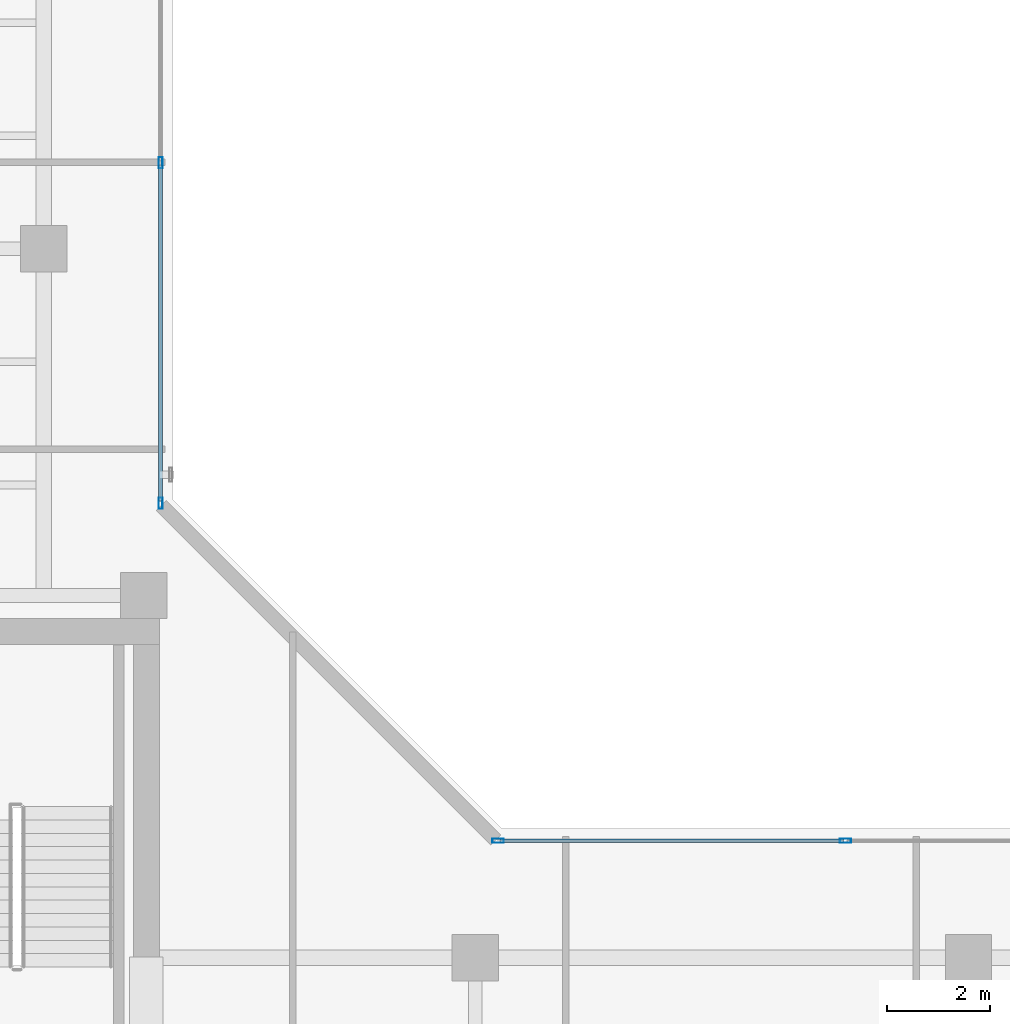
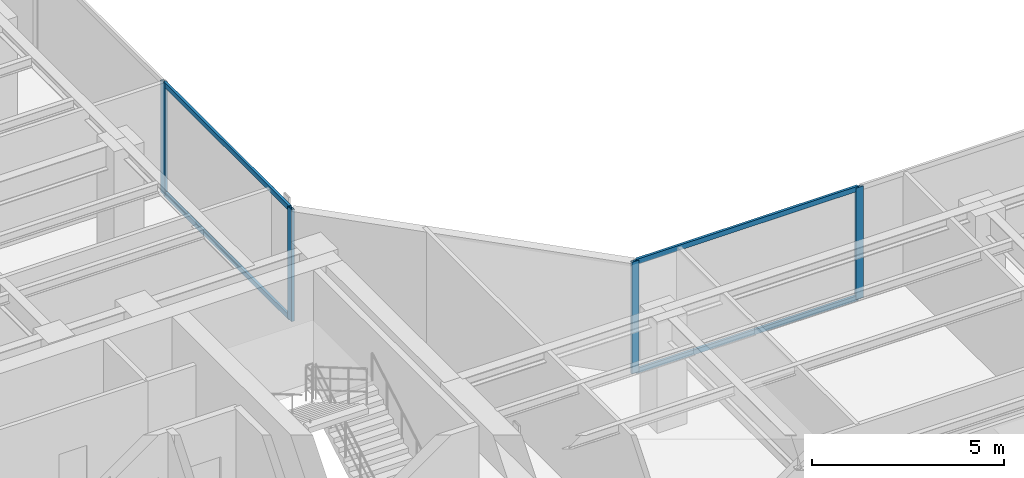
# One storey, part 10 of 24: 8 members, 2 elements without a shape of their own.
"""IFC4 building model written with IfcOpenShell, lengths in metres."""

from ifc_helpers import new_model, si_unit, direction, frame, origin, origin_with_axes, origin_2d, place, context, subcontext, project, spatial, hollow_rectangle, extrude, source, transform, mapped, material, layer, layer_set, material_profile, profile_set, type_object, element, aggregate, save


model = new_model("IFC4")

# Units and contexts
model_context = context("Model", 3, precision=1e-05, world=origin(), true_north=direction((0.0, 1.0)))
body_context = subcontext(model_context, "Body", "Model", "MODEL_VIEW")
ifc_project = project(units=[si_unit("LENGTHUNIT", "METRE"), si_unit("AREAUNIT", "SQUARE_METRE"), si_unit("VOLUMEUNIT", "CUBIC_METRE"), si_unit("PLANEANGLEUNIT", "RADIAN"), si_unit("MASSUNIT", "GRAM", prefix="KILO")], contexts=[model_context])

# Site, building, storey
site_placement = place(None, origin())
site = spatial("IfcSite", under=ifc_project, at=site_placement, CompositionType="ELEMENT")
building_placement = place(site_placement, origin())
building = spatial("IfcBuilding", under=site, at=building_placement, Name="Kolvaren Waterfront Exchange", CompositionType="ELEMENT")
storey_placement = place(building_placement, frame((0.0, 0.0, 293.199951171875)))
storey = spatial("IfcBuildingStorey", under=building, at=storey_placement, Name="L75", CompositionType="ELEMENT", Elevation=293.199951171875)

# Curtain wall, members
ifc_material_1 = material(Name="Anodised bronze aluminium 6063-T6", Category="aluminium")
ifc_layer = layer(ifc_material_1, 0.219970703125, Name="Anodised bronze aluminium 6063-T6")
ifc_layer_set = layer_set([ifc_layer], Name="Anodised bronze aluminium 6063-T6")
curtain_wall_type = type_object("IfcCurtainWallType", Name="ARC-CW-SYS1", PredefinedType="USERDEFINED", material=ifc_layer_set)
curtain_wall_1_placement = place(storey_placement, origin())
curtain_wall_1 = element("IfcCurtainWall", 1, at=curtain_wall_1_placement, inside=storey, type_object=curtain_wall_type, Name="L75 stick curtain wall CW1 (CW-L75-NE)", ObjectType="STICK CURTAIN WALL", PredefinedType="USERDEFINED")
ifc_material_2 = material(Name="Anodised aluminium 6063-T6", Category="aluminium")
ifc_material_profile_1 = material_profile(ifc_material_2, hollow_rectangle(XDim=0.080078125, YDim=0.219970703125, WallThickness=0.0048828125, at=origin_2d()), Name="ALU-MUL-220x80x5")
ifc_profile_set_1 = profile_set([ifc_material_profile_1], Name="Anodised aluminium 6063-T6")
member_type_1 = type_object("IfcMemberType", Name="ARC-CWM-220", PredefinedType="MULLION", material=ifc_profile_set_1)
shared_shape_1 = source(origin_with_axes(), body_context, "Body", "SweptSolid", [
    extrude(hollow_rectangle(XDim=0.080078125, YDim=0.219970703125, WallThickness=0.0048828125, at=origin_2d()), origin(), (0.0, 0.0, 1.0), 3.56005859375),
])
member_1_placement = place(storey_placement, frame((21.07568359375, 26.245849609375, 0.0), z_axis=(0.0, 0.0, 1.0), x_axis=(-1.0, 0.0, 0.0)))
member_1 = element("IfcMember", 2, at=member_1_placement, type_object=member_type_1, Name="CW1 mullion 1", PredefinedType="MULLION", context=body_context, shape_type="MappedRepresentation", body=[
    mapped(shared_shape_1, transform((0.0, 0.0, 0.0), x_axis=(1.0, 0.0, 0.0), y_axis=(0.0, 1.0, 0.0), z_axis=(0.0, 0.0, 1.0), scale=1.0)),
])
member_2_placement = place(storey_placement, frame((21.07568359375, 32.872314453125, 0.0), z_axis=(0.0, 0.0, 1.0), x_axis=(-1.0, 0.0, 0.0)))
member_2 = element("IfcMember", 3, at=member_2_placement, type_object=member_type_1, Name="CW1 mullion 2", PredefinedType="MULLION", context=body_context, shape_type="MappedRepresentation", body=[
    mapped(shared_shape_1, transform((0.0, 0.0, 0.0), x_axis=(1.0, 0.0, 0.0), y_axis=(0.0, 1.0, 0.0), z_axis=(0.0, 0.0, 1.0), scale=1.0)),
])

curtain_wall_2_placement = place(storey_placement, origin())
curtain_wall_2 = element("IfcCurtainWall", 4, at=curtain_wall_2_placement, inside=storey, type_object=curtain_wall_type, Name="L75 stick curtain wall CW1 (CW-L75-EN)", ObjectType="STICK CURTAIN WALL", PredefinedType="USERDEFINED")
member_3_placement = place(storey_placement, frame((27.645751953125, 19.67578125, 0.0), z_axis=(0.0, 0.0, 1.0), x_axis=(0.0, 1.0, 0.0)))
member_3 = element("IfcMember", 5, at=member_3_placement, type_object=member_type_1, Name="CW1 mullion 1", PredefinedType="MULLION", context=body_context, shape_type="MappedRepresentation", body=[
    mapped(shared_shape_1, transform((0.0, 0.0, 0.0), x_axis=(1.0, 0.0, 0.0), y_axis=(0.0, 1.0, 0.0), z_axis=(0.0, 0.0, 1.0), scale=1.0)),
])
member_4_placement = place(storey_placement, frame((34.405517578125, 19.67578125, 0.0), z_axis=(0.0, 0.0, 1.0), x_axis=(0.0, 1.0, 0.0)))
member_4 = element("IfcMember", 6, at=member_4_placement, type_object=member_type_1, Name="CW1 mullion 2", PredefinedType="MULLION", context=body_context, shape_type="MappedRepresentation", body=[
    mapped(shared_shape_1, transform((0.0, 0.0, 0.0), x_axis=(1.0, 0.0, 0.0), y_axis=(0.0, 1.0, 0.0), z_axis=(0.0, 0.0, 1.0), scale=1.0)),
])

# Member
ifc_material_profile_2 = material_profile(ifc_material_2, hollow_rectangle(XDim=0.074951171875, YDim=0.159912109375, WallThickness=0.00439453125, at=origin_2d()), Name="ALU-TRN-160x75x4.5")
ifc_profile_set_2 = profile_set([ifc_material_profile_2], Name="Anodised aluminium 6063-T6")
member_type_2 = type_object("IfcMemberType", Name="ARC-CWT-160", PredefinedType="USERDEFINED", material=ifc_profile_set_2)
shared_shape_2 = source(origin_with_axes(), body_context, "Body", "SweptSolid", [
    extrude(hollow_rectangle(XDim=0.074951171875, YDim=0.159912109375, WallThickness=0.00439453125, at=origin_2d()), origin(), (0.0, 0.0, 1.0), 6.54638671875),
])
member_5_placement = place(storey_placement, frame((21.07568359375, 26.285888671875, 0.03759765625), z_axis=(0.0, 1.0, 0.0), x_axis=(-1.0, 0.0, 0.0)))
member_5 = element("IfcMember", 7, at=member_5_placement, type_object=member_type_2, Name="CW1 transom 1.1", ObjectType="TRANSOM", PredefinedType="USERDEFINED", context=body_context, shape_type="MappedRepresentation", body=[
    mapped(shared_shape_2, transform((0.0, 0.0, 0.0), x_axis=(1.0, 0.0, 0.0), y_axis=(0.0, 1.0, 0.0), z_axis=(0.0, 0.0, 1.0), scale=1.0)),
])

member_6_placement = place(storey_placement, frame((21.07568359375, 26.285888671875, 3.5224609375), z_axis=(0.0, 1.0, 0.0), x_axis=(-1.0, 0.0, 0.0)))
member_6 = element("IfcMember", 8, at=member_6_placement, type_object=member_type_2, Name="CW1 transom 1.2", ObjectType="TRANSOM", PredefinedType="USERDEFINED", context=body_context, shape_type="MappedRepresentation", body=[
    mapped(shared_shape_2, transform((0.0, 0.0, 0.0), x_axis=(1.0, 0.0, 0.0), y_axis=(0.0, 1.0, 0.0), z_axis=(0.0, 0.0, 1.0), scale=1.0)),
])

aggregate(curtain_wall_1, [member_1, member_2, member_5, member_6])

shared_shape_3 = source(origin_with_axes(), body_context, "Body", "SweptSolid", [
    extrude(hollow_rectangle(XDim=0.074951171875, YDim=0.159912109375, WallThickness=0.00439453125, at=origin_2d()), origin(), (0.0, 0.0, 1.0), 6.679931640625),
])
member_7_placement = place(storey_placement, frame((27.685791015625, 19.67578125, 0.03759765625), z_axis=(1.0, 0.0, 0.0), x_axis=(0.0, 1.0, 0.0)))
member_7 = element("IfcMember", 9, at=member_7_placement, type_object=member_type_2, Name="CW1 transom 1.1", ObjectType="TRANSOM", PredefinedType="USERDEFINED", context=body_context, shape_type="MappedRepresentation", body=[
    mapped(shared_shape_3, transform((0.0, 0.0, 0.0), x_axis=(1.0, 0.0, 0.0), y_axis=(0.0, 1.0, 0.0), z_axis=(0.0, 0.0, 1.0), scale=1.0)),
])

member_8_placement = place(storey_placement, frame((27.685791015625, 19.67578125, 3.5224609375), z_axis=(1.0, 0.0, 0.0), x_axis=(0.0, 1.0, 0.0)))
member_8 = element("IfcMember", 10, at=member_8_placement, type_object=member_type_2, Name="CW1 transom 1.2", ObjectType="TRANSOM", PredefinedType="USERDEFINED", context=body_context, shape_type="MappedRepresentation", body=[
    mapped(shared_shape_3, transform((0.0, 0.0, 0.0), x_axis=(1.0, 0.0, 0.0), y_axis=(0.0, 1.0, 0.0), z_axis=(0.0, 0.0, 1.0), scale=1.0)),
])

aggregate(curtain_wall_2, [member_3, member_4, member_7, member_8])

save(model, "model.ifc")
